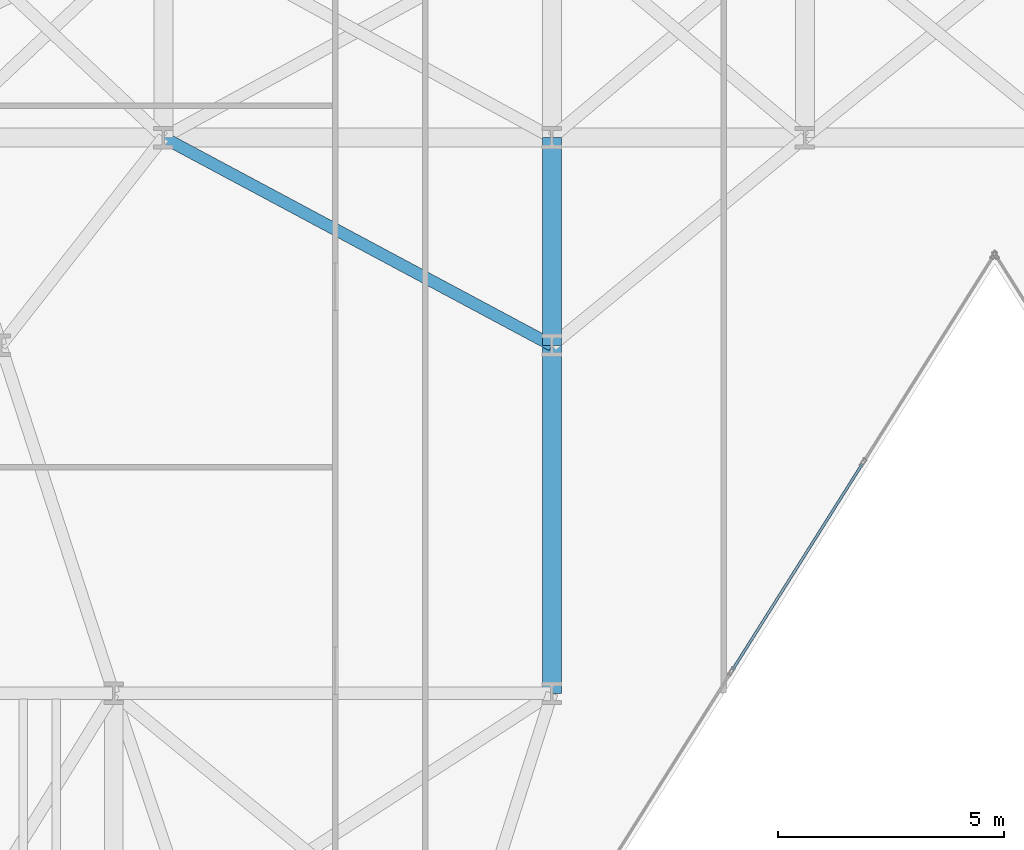
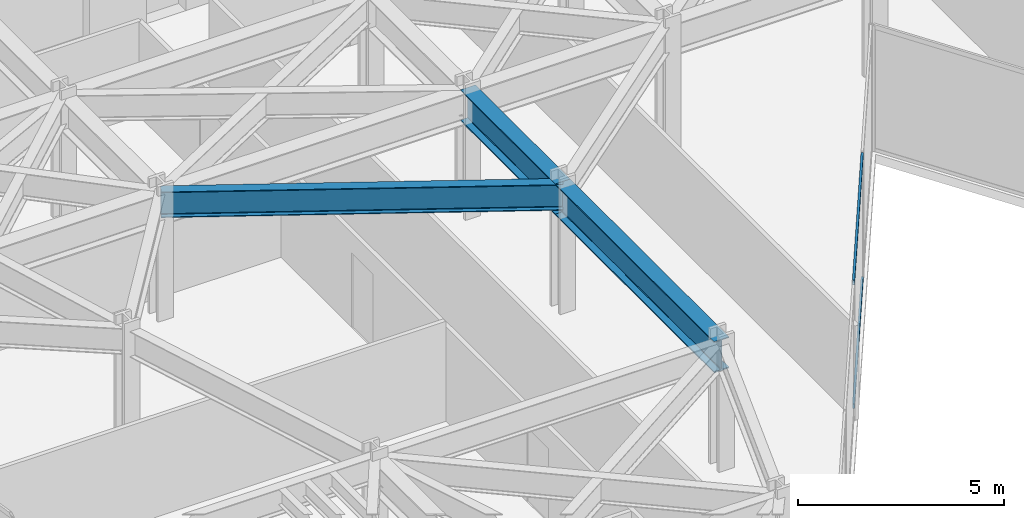
# One storey, part 9 of 25: 3 beams, 2 members, 1 element without a shape of its own.
"""IFC4 building model written with IfcOpenShell, lengths in metres."""

from ifc_helpers import new_model, si_unit, direction, frame, origin, origin_2d, place, context, subcontext, project, spatial, hollow_rectangle, i_section, extrude, material, layer, layer_set, material_profile, profile_set, type_object, element, aggregate, save


model = new_model("IFC4")

# Units and contexts
model_context = context("Model", 3, precision=1e-05, world=origin(), true_north=direction((0.0, 1.0)))
body_context = subcontext(model_context, "Body", "Model", "MODEL_VIEW")
ifc_project = project(units=[si_unit("LENGTHUNIT", "METRE"), si_unit("AREAUNIT", "SQUARE_METRE"), si_unit("VOLUMEUNIT", "CUBIC_METRE"), si_unit("PLANEANGLEUNIT", "RADIAN"), si_unit("MASSUNIT", "GRAM", prefix="KILO")], contexts=[model_context])

# Site, building, storey
site_placement = place(None, origin())
site = spatial("IfcSite", under=ifc_project, at=site_placement, CompositionType="ELEMENT")
building_placement = place(site_placement, origin())
building = spatial("IfcBuilding", under=site, at=building_placement, Name="Kravanh Interchange Tower", CompositionType="ELEMENT")
storey_placement = place(building_placement, frame((0.0, 0.0, 81.5)))
storey = spatial("IfcBuildingStorey", under=building, at=storey_placement, Name="L19", CompositionType="ELEMENT", Elevation=81.5)

# Curtain wall, members
ifc_material_1 = material(Name="Anodised Bronze Aluminium", Category="aluminium")
ifc_layer = layer(ifc_material_1, 0.179931640625)
ifc_layer_set = layer_set([ifc_layer], Name="Unitised Curtain Wall System CW-Z1 Lower Office")
curtain_wall_type = type_object("IfcCurtainWallType", Name="Unitised Curtain Wall System CW-Z1 Lower Office", PredefinedType="NOTDEFINED", material=ifc_layer_set)
curtain_wall_placement = place(storey_placement, origin())
curtain_wall = element("IfcCurtainWall", 1, at=curtain_wall_placement, inside=storey, type_object=curtain_wall_type, Name="L19 Unitised Curtain Wall CW-L19-05", PredefinedType="NOTDEFINED")
ifc_material_2 = material(Name="Anodised Bronze Aluminium", Category="aluminium")
ifc_material_profile_1 = material_profile(ifc_material_2, hollow_rectangle(XDim=0.06005859375, YDim=0.139892578125, WallThickness=0.00390625, at=origin_2d()), Name="ALU60X140X4")
ifc_profile_set_1 = profile_set([ifc_material_profile_1], Name="Anodised Bronze Aluminium")
member_type = type_object("IfcMemberType", Name="Curtain Wall Transom ALU60X140X4 Bronze", PredefinedType="USERDEFINED", material=ifc_profile_set_1)
member_1_placement = place(storey_placement, frame((34.068115234375, 19.574462890625, 0.030029296875), z_axis=(-0.533311487456, -0.84591894254, 0.0), x_axis=(0.84591894254, -0.533311487456, 0.0)))
member_1 = element("IfcMember", 2, at=member_1_placement, type_object=member_type, Name="CW-Z1 transom 2.1", ObjectType="TRANSOM", PredefinedType="USERDEFINED", context=body_context, shape_type="SweptSolid", body=[
    extrude(hollow_rectangle(XDim=0.06005859375, YDim=0.139892578125, WallThickness=0.00390625, at=origin_2d()), origin(), (0.0, 0.0, 1.0), 5.392578125),
])
member_2_placement = place(storey_placement, frame((34.068115234375, 19.574462890625, 3.68994140625), z_axis=(-0.533311487456, -0.84591894254, 0.0), x_axis=(0.84591894254, -0.533311487456, 0.0)))
member_2 = element("IfcMember", 3, at=member_2_placement, type_object=member_type, Name="CW-Z1 transom 2.2", ObjectType="TRANSOM", PredefinedType="USERDEFINED", context=body_context, shape_type="SweptSolid", body=[
    extrude(hollow_rectangle(XDim=0.06005859375, YDim=0.139892578125, WallThickness=0.00390625, at=origin_2d()), origin(), (0.0, 0.0, 1.0), 5.392578125),
])
aggregate(curtain_wall, [member_1, member_2])

# Beams
ifc_material_3 = material(Name="Structural Steel S355", Category="steel")
ifc_material_profile_2 = material_profile(ifc_material_3, i_section(OverallWidth=0.41796875, OverallDepth=0.927001953125, WebThickness=0.019287109375, FlangeThickness=0.031982421875, FilletRadius=0.028076171875, at=origin_2d()), Name="W36X231")
ifc_profile_set_2 = profile_set([ifc_material_profile_2], Name="Structural Steel S355")
beam_type_1 = type_object("IfcBeamType", Name="Floor Beam W36X231 Structural Steel S355", PredefinedType="BEAM", material=ifc_profile_set_2)
beam_1_placement = place(storey_placement, frame((27.199951171875, 22.199951171875, 3.256591796875), z_axis=(0.0, 1.0, 0.0), x_axis=(-1.0, 0.0, 0.0)))
element("IfcBeam", 4, at=beam_1_placement, inside=storey, type_object=beam_type_1, Name="L19 Primary Floor Girder 54", PredefinedType="BEAM", context=body_context, shape_type="SweptSolid", body=[
    extrude(i_section(OverallWidth=0.41796875, OverallDepth=0.927001953125, WebThickness=0.019287109375, FlangeThickness=0.031982421875, FilletRadius=0.028076171875, at=origin_2d()), origin(), (0.0, 0.0, 1.0), 4.60009765625),
])
beam_2_placement = place(storey_placement, frame((27.199951171875, 22.199951171875, 3.256591796875), z_axis=(0.0, -1.0, 0.0), x_axis=(1.0, 0.0, 0.0)))
element("IfcBeam", 5, at=beam_2_placement, inside=storey, type_object=beam_type_1, Name="L19 Primary Floor Girder 56", PredefinedType="BEAM", context=body_context, shape_type="SweptSolid", body=[
    extrude(i_section(OverallWidth=0.41796875, OverallDepth=0.927001953125, WebThickness=0.019287109375, FlangeThickness=0.031982421875, FilletRadius=0.028076171875, at=origin_2d()), origin(), (0.0, 0.0, 1.0), 7.699951171875),
])
ifc_material_4 = material(Name="Structural Steel S355", Category="steel")
ifc_material_profile_3 = material_profile(ifc_material_4, i_section(OverallWidth=0.26708984375, OverallDepth=0.761962890625, WebThickness=0.014404296875, FlangeThickness=0.021484375, FilletRadius=0.02490234375, at=origin_2d()), Name="W30X116")
ifc_profile_set_3 = profile_set([ifc_material_profile_3], Name="Structural Steel S355")
beam_type_2 = type_object("IfcBeamType", Name="Floor Spandrel W30X116 Structural Steel S355", PredefinedType="SPANDREL", material=ifc_profile_set_3)
beam_3_placement = place(storey_placement, frame((27.199951171875, 22.199951171875, 3.339111328125), z_axis=(-0.881777136221, 0.471666282489, 0.0), x_axis=(-0.471666282489, -0.881777136221, 0.0)))
element("IfcBeam", 6, at=beam_3_placement, inside=storey, type_object=beam_type_2, Name="L19 Perimeter Spandrel 57", PredefinedType="SPANDREL", context=body_context, shape_type="SweptSolid", body=[
    extrude(i_section(OverallWidth=0.26708984375, OverallDepth=0.761962890625, WebThickness=0.014404296875, FlangeThickness=0.021484375, FilletRadius=0.02490234375, at=origin_2d()), origin(), (0.0, 0.0, 1.0), 9.7529296875),
])

save(model, "model.ifc")
